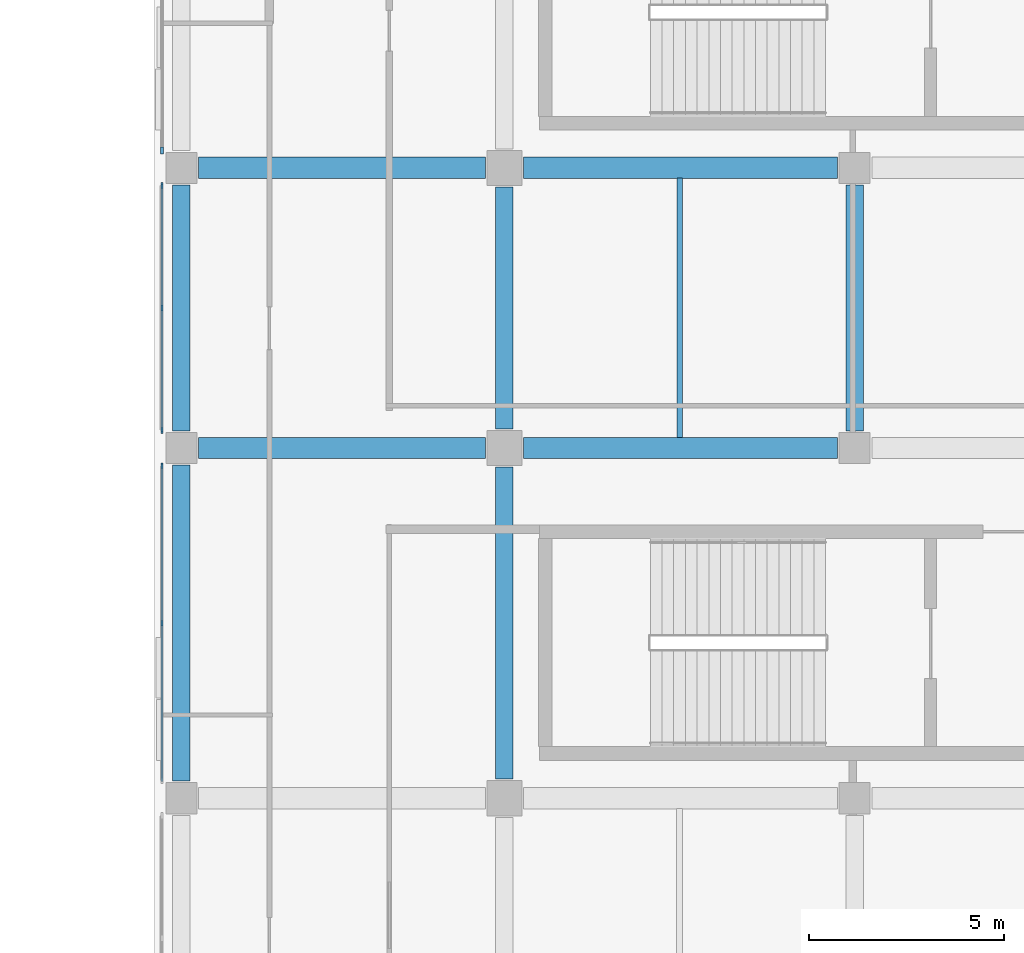
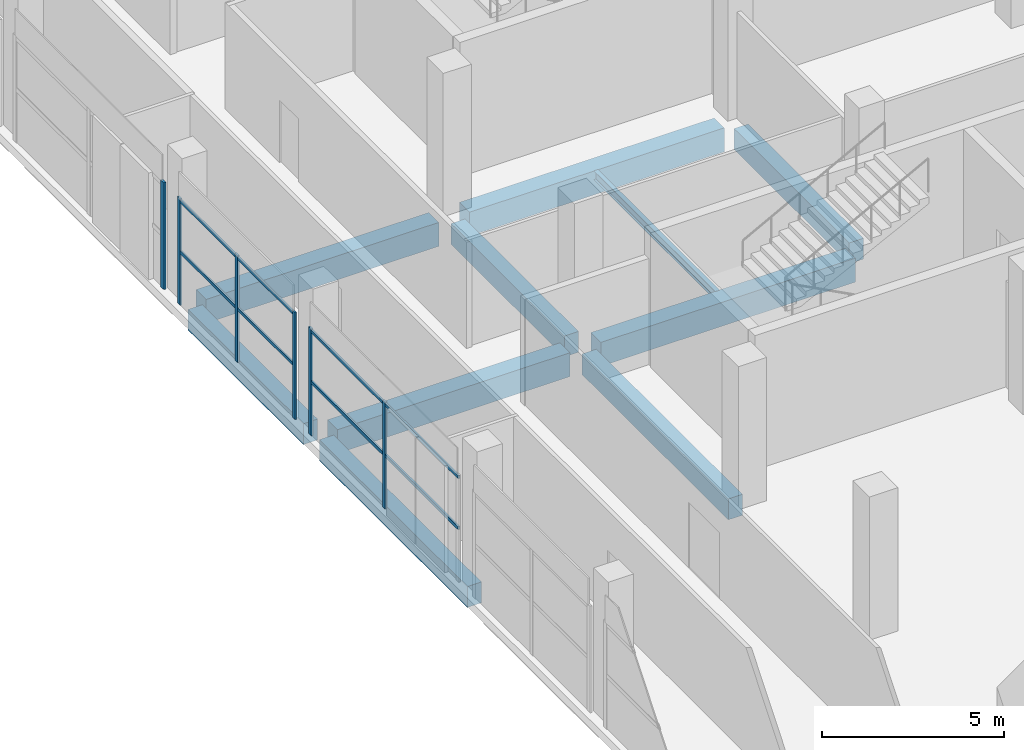
# One storey, part 28 of 111: 10 beams, 10 members, 3 elements without a shape of their own.
"""IFC4 building model written with IfcOpenShell, lengths in metres."""

from ifc_helpers import new_model, si_unit, direction, frame, origin, origin_2d, place, context, subcontext, project, spatial, rectangle, i_section, extrude, material, material_profile, profile_set, type_object, element, aggregate, save


model = new_model("IFC4")

# Units and contexts
model_context = context("Model", 3, precision=1e-05, world=origin(), true_north=direction((0.0, 1.0)))
body_context = subcontext(model_context, "Body", "Model", "MODEL_VIEW")
ifc_project = project(units=[si_unit("LENGTHUNIT", "METRE"), si_unit("AREAUNIT", "SQUARE_METRE"), si_unit("VOLUMEUNIT", "CUBIC_METRE"), si_unit("PLANEANGLEUNIT", "RADIAN"), si_unit("MASSUNIT", "GRAM", prefix="KILO"), si_unit("THERMODYNAMICTEMPERATUREUNIT", "KELVIN"), si_unit("POWERUNIT", "WATT")], contexts=[model_context])

# Site, building, storey
site_placement = place(None, origin())
site = spatial("IfcSite", under=ifc_project, at=site_placement, CompositionType="ELEMENT")
building_placement = place(site_placement, origin())
building = spatial("IfcBuilding", under=site, at=building_placement, Name="Sindhuravela Promenade Stadium", CompositionType="ELEMENT")
storey_placement = place(building_placement, frame((0.0, 0.0, 9.60009765625)))
storey = spatial("IfcBuildingStorey", under=building, at=storey_placement, Name="L02", CompositionType="ELEMENT", Elevation=9.60009765625)

# Curtain wall, member
ifc_material_1 = material(Name="Anodised architectural aluminium 6063-T6", Category="aluminium")
curtain_wall_type_1 = type_object("IfcCurtainWallType", Name="CW-MOD-1", PredefinedType="NOTDEFINED", material=ifc_material_1)
curtain_wall_1_placement = place(storey_placement, origin())
curtain_wall_1 = element("IfcCurtainWall", 1, at=curtain_wall_1_placement, inside=storey, type_object=curtain_wall_type_1, Name="Bronze curtain wall CW-EAST-L02-096", PredefinedType="NOTDEFINED")
ifc_material_profile_1 = material_profile(ifc_material_1, rectangle(XDim=0.074951171875, YDim=0.175048828125, at=origin_2d()), Name="ALU MULL 75x175")
ifc_profile_set_1 = profile_set([ifc_material_profile_1], Name="Anodised architectural aluminium 6063-T6")
member_type_1 = type_object("IfcMemberType", Name="CW-MUL-1", PredefinedType="MULLION", material=ifc_profile_set_1)
member_1_placement = place(storey_placement, frame((171.199951171875, 68.85009765625, 0.0), z_axis=(0.0, 0.0, 1.0), x_axis=(1.0, 0.0, 0.0)))
member_1 = element("IfcMember", 2, at=member_1_placement, type_object=member_type_1, Name="Curtain wall mullion CW-EAST-L02-096-M1", PredefinedType="MULLION", context=body_context, shape_type="SweptSolid", body=[
    extrude(rectangle(XDim=0.074951171875, YDim=0.175048828125, at=origin_2d()), origin(), (0.0, 0.0, 1.0), 3.579833984375),
])
aggregate(curtain_wall_1, [member_1])

# Curtain wall, members
curtain_wall_type_2 = type_object("IfcCurtainWallType", Name="CW-MOD-7", PredefinedType="NOTDEFINED", material=ifc_material_1)
curtain_wall_2_placement = place(storey_placement, origin())
curtain_wall_2 = element("IfcCurtainWall", 3, at=curtain_wall_2_placement, inside=storey, type_object=curtain_wall_type_2, Name="Bronze curtain wall CW-EAST-L02-094", PredefinedType="NOTDEFINED")
ifc_material_profile_2 = material_profile(ifc_material_1, rectangle(XDim=0.06005859375, YDim=0.139892578125, at=origin_2d()), Name="ALU M60x140")
ifc_profile_set_2 = profile_set([ifc_material_profile_2], Name="Anodised architectural aluminium 6063-T6")
member_type_2 = type_object("IfcMemberType", Name="CW-MUL-5", PredefinedType="MULLION", material=ifc_profile_set_2)
member_2_placement = place(storey_placement, frame((171.199951171875, 56.699951171875, 0.0), z_axis=(0.0, 0.0, 1.0), x_axis=(1.0, 0.0, 0.0)))
member_2 = element("IfcMember", 4, at=member_2_placement, type_object=member_type_2, Name="Curtain wall mullion CW-EAST-L02-094-M2", PredefinedType="MULLION", context=body_context, shape_type="SweptSolid", body=[
    extrude(rectangle(XDim=0.06005859375, YDim=0.139892578125, at=origin_2d()), origin(), (0.0, 0.0, 1.0), 3.579833984375),
])
member_3_placement = place(storey_placement, frame((171.199951171875, 60.75, 0.0), z_axis=(0.0, 0.0, 1.0), x_axis=(1.0, 0.0, 0.0)))
member_3 = element("IfcMember", 5, at=member_3_placement, type_object=member_type_2, Name="Curtain wall mullion CW-EAST-L02-094-M3", PredefinedType="MULLION", context=body_context, shape_type="SweptSolid", body=[
    extrude(rectangle(XDim=0.06005859375, YDim=0.139892578125, at=origin_2d()), origin(), (0.0, 0.0, 1.0), 3.579833984375),
])

curtain_wall_type_3 = type_object("IfcCurtainWallType", Name="CW-MOD-8", PredefinedType="NOTDEFINED", material=ifc_material_1)
curtain_wall_3_placement = place(storey_placement, origin())
curtain_wall_3 = element("IfcCurtainWall", 6, at=curtain_wall_3_placement, inside=storey, type_object=curtain_wall_type_3, Name="Bronze curtain wall CW-EAST-L02-095", PredefinedType="NOTDEFINED")
ifc_material_profile_3 = material_profile(ifc_material_1, rectangle(XDim=0.054931640625, YDim=0.14990234375, at=origin_2d()), Name="ALU M55x150")
ifc_profile_set_3 = profile_set([ifc_material_profile_3], Name="Anodised architectural aluminium 6063-T6")
member_type_3 = type_object("IfcMemberType", Name="CW-MUL-6", PredefinedType="MULLION", material=ifc_profile_set_3)
member_4_placement = place(storey_placement, frame((171.199951171875, 61.64990234375, 0.0), z_axis=(0.0, 0.0, 1.0), x_axis=(1.0, 0.0, 0.0)))
member_4 = element("IfcMember", 7, at=member_4_placement, type_object=member_type_3, Name="Curtain wall mullion CW-EAST-L02-095-M1", PredefinedType="MULLION", context=body_context, shape_type="SweptSolid", body=[
    extrude(rectangle(XDim=0.054931640625, YDim=0.14990234375, at=origin_2d()), origin(), (0.0, 0.0, 1.0), 3.579833984375),
])
member_5_placement = place(storey_placement, frame((171.199951171875, 64.800048828125, 0.0), z_axis=(0.0, 0.0, 1.0), x_axis=(1.0, 0.0, 0.0)))
member_5 = element("IfcMember", 8, at=member_5_placement, type_object=member_type_3, Name="Curtain wall mullion CW-EAST-L02-095-M2", PredefinedType="MULLION", context=body_context, shape_type="SweptSolid", body=[
    extrude(rectangle(XDim=0.054931640625, YDim=0.14990234375, at=origin_2d()), origin(), (0.0, 0.0, 1.0), 3.579833984375),
])
member_6_placement = place(storey_placement, frame((171.199951171875, 67.949951171875, 0.0), z_axis=(0.0, 0.0, 1.0), x_axis=(1.0, 0.0, 0.0)))
member_6 = element("IfcMember", 9, at=member_6_placement, type_object=member_type_3, Name="Curtain wall mullion CW-EAST-L02-095-M3", PredefinedType="MULLION", context=body_context, shape_type="SweptSolid", body=[
    extrude(rectangle(XDim=0.054931640625, YDim=0.14990234375, at=origin_2d()), origin(), (0.0, 0.0, 1.0), 3.579833984375),
])

# Member
ifc_material_profile_4 = material_profile(ifc_material_1, rectangle(XDim=0.06005859375, YDim=0.110107421875, at=origin_2d()), Name="ALU T60x110")
ifc_profile_set_4 = profile_set([ifc_material_profile_4], Name="Anodised architectural aluminium 6063-T6")
member_type_4 = type_object("IfcMemberType", Name="CW-TRN-5", PredefinedType="USERDEFINED", material=ifc_profile_set_4)
member_7_placement = place(storey_placement, frame((171.199951171875, 52.625, 1.789794921875), z_axis=(0.0, 1.0, 0.0), x_axis=(-1.0, 0.0, 0.0)))
member_7 = element("IfcMember", 10, at=member_7_placement, type_object=member_type_4, Name="Curtain wall transom CW-EAST-L02-094-T1", ObjectType="TRANSOM", PredefinedType="USERDEFINED", context=body_context, shape_type="SweptSolid", body=[
    extrude(rectangle(XDim=0.06005859375, YDim=0.110107421875, at=origin_2d()), origin(), (0.0, 0.0, 1.0), 8.14990234375),
])

member_8_placement = place(storey_placement, frame((171.199951171875, 52.625, 3.5), z_axis=(0.0, 1.0, 0.0), x_axis=(-1.0, 0.0, 0.0)))
member_8 = element("IfcMember", 11, at=member_8_placement, type_object=member_type_4, Name="Curtain wall transom CW-EAST-L02-094-T2", ObjectType="TRANSOM", PredefinedType="USERDEFINED", context=body_context, shape_type="SweptSolid", body=[
    extrude(rectangle(XDim=0.06005859375, YDim=0.110107421875, at=origin_2d()), origin(), (0.0, 0.0, 1.0), 8.14990234375),
])

aggregate(curtain_wall_2, [member_2, member_3, member_7, member_8])

ifc_material_profile_5 = material_profile(ifc_material_1, rectangle(XDim=0.054931640625, YDim=0.10498046875, at=origin_2d()), Name="ALU T55x105")
ifc_profile_set_5 = profile_set([ifc_material_profile_5], Name="Anodised architectural aluminium 6063-T6")
member_type_5 = type_object("IfcMemberType", Name="CW-TRN-6", PredefinedType="USERDEFINED", material=ifc_profile_set_5)
member_9_placement = place(storey_placement, frame((171.199951171875, 61.625, 1.789794921875), z_axis=(0.0, 1.0, 0.0), x_axis=(-1.0, 0.0, 0.0)))
member_9 = element("IfcMember", 12, at=member_9_placement, type_object=member_type_5, Name="Curtain wall transom CW-EAST-L02-095-T1", ObjectType="TRANSOM", PredefinedType="USERDEFINED", context=body_context, shape_type="SweptSolid", body=[
    extrude(rectangle(XDim=0.054931640625, YDim=0.10498046875, at=origin_2d()), origin(), (0.0, 0.0, 1.0), 6.35009765625),
])

member_10_placement = place(storey_placement, frame((171.199951171875, 61.625, 3.5), z_axis=(0.0, 1.0, 0.0), x_axis=(-1.0, 0.0, 0.0)))
member_10 = element("IfcMember", 13, at=member_10_placement, type_object=member_type_5, Name="Curtain wall transom CW-EAST-L02-095-T2", ObjectType="TRANSOM", PredefinedType="USERDEFINED", context=body_context, shape_type="SweptSolid", body=[
    extrude(rectangle(XDim=0.054931640625, YDim=0.10498046875, at=origin_2d()), origin(), (0.0, 0.0, 1.0), 6.35009765625),
])

aggregate(curtain_wall_3, [member_4, member_5, member_6, member_9, member_10])

# Beams
ifc_material_2 = material(Name="Concrete M40", Category="concrete")
ifc_material_profile_6 = material_profile(ifc_material_2, rectangle(XDim=0.449951171875, YDim=0.699951171875, at=origin_2d()), Name="RC 450x700")
ifc_profile_set_6 = profile_set([ifc_material_profile_6], Name="Concrete M40")
beam_type_1 = type_object("IfcBeamType", Name="RC-BM-450x700", PredefinedType="BEAM", material=ifc_profile_set_6)
beam_1_placement = place(storey_placement, frame((171.699951171875, 52.639892578125, -0.630126953125), z_axis=(0.0, 1.0, 0.0), x_axis=(-1.0, 0.0, 0.0)))
element("IfcBeam", 14, at=beam_1_placement, inside=storey, type_object=beam_type_1, Name="Primary beam GB07 EAST L02", PredefinedType="BEAM", context=body_context, shape_type="SweptSolid", body=[
    extrude(rectangle(XDim=0.449951171875, YDim=0.699951171875, at=origin_2d()), origin(), (0.0, 0.0, 1.0), 8.1201171875),
])
beam_2_placement = place(storey_placement, frame((171.699951171875, 61.639892578125, -0.630126953125), z_axis=(0.0, 1.0, 0.0), x_axis=(-1.0, 0.0, 0.0)))
element("IfcBeam", 15, at=beam_2_placement, inside=storey, type_object=beam_type_1, Name="Primary beam GB07 EAST L02", PredefinedType="BEAM", context=body_context, shape_type="SweptSolid", body=[
    extrude(rectangle(XDim=0.449951171875, YDim=0.699951171875, at=origin_2d()), origin(), (0.0, 0.0, 1.0), 6.320068359375),
])
beam_3_placement = place(storey_placement, frame((180.0, 52.68994140625, -0.630126953125), z_axis=(0.0, 1.0, 0.0), x_axis=(-1.0, 0.0, 0.0)))
element("IfcBeam", 16, at=beam_3_placement, inside=storey, type_object=beam_type_1, Name="Primary beam GB07 EAST L02", PredefinedType="BEAM", context=body_context, shape_type="SweptSolid", body=[
    extrude(rectangle(XDim=0.449951171875, YDim=0.699951171875, at=origin_2d()), origin(), (0.0, 0.0, 1.0), 8.02001953125),
])
beam_4_placement = place(storey_placement, frame((180.0, 61.68994140625, -0.630126953125), z_axis=(0.0, 1.0, 0.0), x_axis=(-1.0, 0.0, 0.0)))
element("IfcBeam", 17, at=beam_4_placement, inside=storey, type_object=beam_type_1, Name="Primary beam GB07 EAST L02", PredefinedType="BEAM", context=body_context, shape_type="SweptSolid", body=[
    extrude(rectangle(XDim=0.449951171875, YDim=0.699951171875, at=origin_2d()), origin(), (0.0, 0.0, 1.0), 6.219970703125),
])
beam_5_placement = place(storey_placement, frame((189.0, 61.639892578125, -0.630126953125), z_axis=(0.0, 1.0, 0.0), x_axis=(-1.0, 0.0, 0.0)))
element("IfcBeam", 18, at=beam_5_placement, inside=storey, type_object=beam_type_1, Name="Primary beam GB07 EAST L02", PredefinedType="BEAM", context=body_context, shape_type="SweptSolid", body=[
    extrude(rectangle(XDim=0.449951171875, YDim=0.699951171875, at=origin_2d()), origin(), (0.0, 0.0, 1.0), 6.320068359375),
])
ifc_material_profile_7 = material_profile(ifc_material_2, rectangle(XDim=0.550048828125, YDim=0.800048828125, at=origin_2d()), Name="RC 550x800")
ifc_profile_set_7 = profile_set([ifc_material_profile_7], Name="Concrete M40")
beam_type_2 = type_object("IfcBeamType", Name="RC-BM-550x800", PredefinedType="BEAM", material=ifc_profile_set_7)
beam_6_placement = place(storey_placement, frame((172.139892578125, 61.199951171875, -0.68017578125), z_axis=(1.0, 0.0, 0.0), x_axis=(0.0, 1.0, 0.0)))
element("IfcBeam", 19, at=beam_6_placement, inside=storey, type_object=beam_type_2, Name="Primary girder GB05 EAST L02", PredefinedType="BEAM", context=body_context, shape_type="SweptSolid", body=[
    extrude(rectangle(XDim=0.550048828125, YDim=0.800048828125, at=origin_2d()), origin(), (0.0, 0.0, 1.0), 7.3701171875),
])
beam_7_placement = place(storey_placement, frame((180.489990234375, 61.199951171875, -0.68017578125), z_axis=(1.0, 0.0, 0.0), x_axis=(0.0, 1.0, 0.0)))
element("IfcBeam", 20, at=beam_7_placement, inside=storey, type_object=beam_type_2, Name="Primary girder GB05 EAST L02", PredefinedType="BEAM", context=body_context, shape_type="SweptSolid", body=[
    extrude(rectangle(XDim=0.550048828125, YDim=0.800048828125, at=origin_2d()), origin(), (0.0, 0.0, 1.0), 8.070068359375),
])
beam_8_placement = place(storey_placement, frame((172.139892578125, 68.39990234375, -0.68017578125), z_axis=(1.0, 0.0, 0.0), x_axis=(0.0, 1.0, 0.0)))
element("IfcBeam", 21, at=beam_8_placement, inside=storey, type_object=beam_type_2, Name="Primary girder GB05 EAST L02", PredefinedType="BEAM", context=body_context, shape_type="SweptSolid", body=[
    extrude(rectangle(XDim=0.550048828125, YDim=0.800048828125, at=origin_2d()), origin(), (0.0, 0.0, 1.0), 7.3701171875),
])
beam_9_placement = place(storey_placement, frame((180.489990234375, 68.39990234375, -0.68017578125), z_axis=(1.0, 0.0, 0.0), x_axis=(0.0, 1.0, 0.0)))
element("IfcBeam", 22, at=beam_9_placement, inside=storey, type_object=beam_type_2, Name="Primary girder GB05 EAST L02", PredefinedType="BEAM", context=body_context, shape_type="SweptSolid", body=[
    extrude(rectangle(XDim=0.550048828125, YDim=0.800048828125, at=origin_2d()), origin(), (0.0, 0.0, 1.0), 8.070068359375),
])
ifc_material_3 = material(Name="Steel E350 (IS 2062 E350BR)", Category="steel")
ifc_material_profile_8 = material_profile(ifc_material_3, i_section(OverallWidth=0.139892578125, OverallDepth=0.300048828125, WebThickness=0.0078125, FlangeThickness=0.01318359375, FilletRadius=0.013916015625, at=origin_2d()), Name="ISMB 300")
ifc_profile_set_8 = profile_set([ifc_material_profile_8], Name="Steel E350 (IS 2062 E350BR)")
beam_type_3 = type_object("IfcBeamType", Name="ST-BM-MB300", PredefinedType="JOIST", material=ifc_profile_set_8)
beam_10_placement = place(storey_placement, frame((184.5, 61.465087890625, -0.43017578125), z_axis=(0.0, 1.0, 0.0), x_axis=(-1.0, 0.0, 0.0)))
element("IfcBeam", 23, at=beam_10_placement, inside=storey, type_object=beam_type_3, Name="Secondary floor joist SB03 EAST L02", PredefinedType="JOIST", context=body_context, shape_type="SweptSolid", body=[
    extrude(i_section(OverallWidth=0.139892578125, OverallDepth=0.300048828125, WebThickness=0.0078125, FlangeThickness=0.01318359375, FilletRadius=0.013916015625, at=origin_2d()), origin(), (0.0, 0.0, 1.0), 6.669921875),
])

save(model, "model.ifc")
